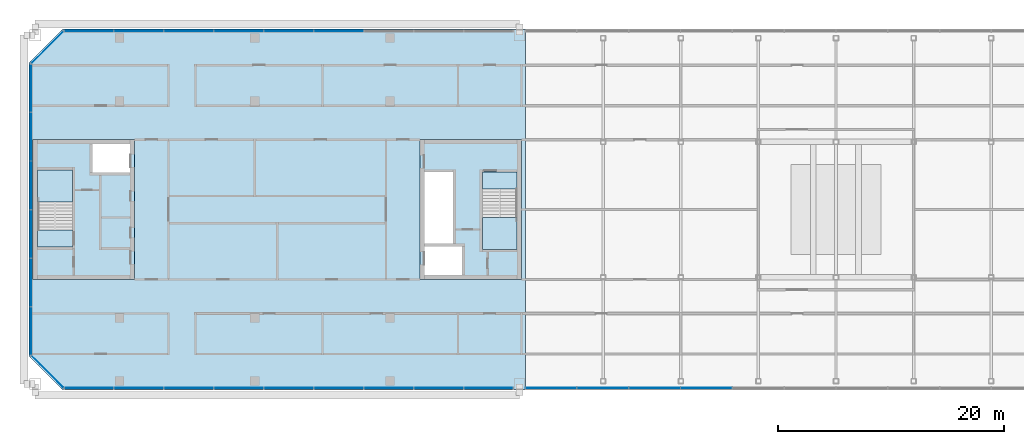
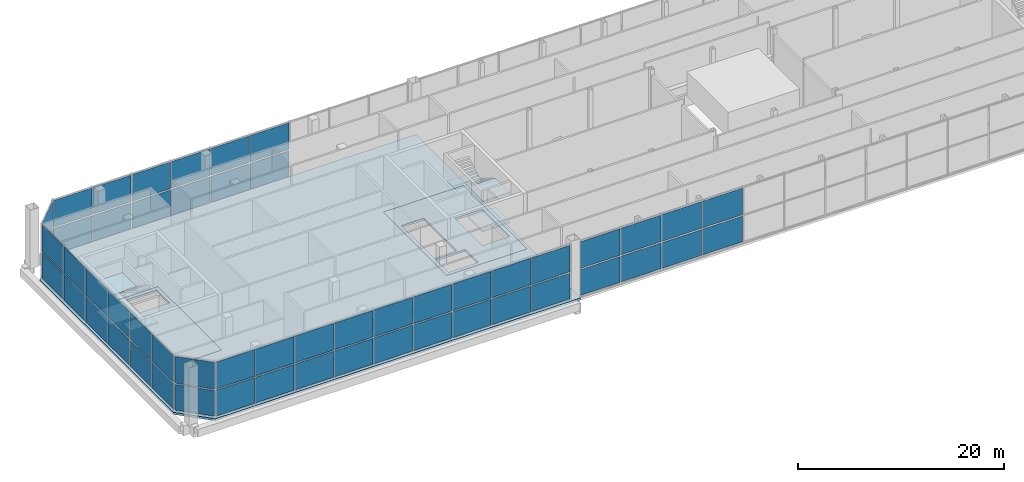
# One storey, part 14 of 27: 54 plates, 9 slabs, 8 elements without a shape of their own.
"""IFC4 building model written with IfcOpenShell, lengths in metres."""

from ifc_helpers import new_model, si_unit, direction, frame, origin, origin_2d, place, context, subcontext, project, spatial, polyline, rectangle, outline, extrude, material, layer, layer_set, type_object, element, aggregate, save


model = new_model("IFC4")

# Units and contexts
model_context = context("Model", 3, precision=1e-05, world=origin(), true_north=direction((0.0, 1.0)))
body_context = subcontext(model_context, "Body", "Model", "MODEL_VIEW")
ifc_project = project(units=[si_unit("LENGTHUNIT", "METRE"), si_unit("AREAUNIT", "SQUARE_METRE"), si_unit("VOLUMEUNIT", "CUBIC_METRE"), si_unit("PLANEANGLEUNIT", "RADIAN"), si_unit("MASSUNIT", "GRAM", prefix="KILO")], contexts=[model_context])

# Site, building, storey
site_placement = place(None, origin())
site = spatial("IfcSite", under=ifc_project, at=site_placement, CompositionType="ELEMENT")
building_placement = place(site_placement, origin())
building = spatial("IfcBuilding", under=site, at=building_placement, Name="Tuart Gate Housing", CompositionType="ELEMENT")
storey_placement = place(building_placement, frame((0.0, 0.0, 236.89990234375)))
storey = spatial("IfcBuildingStorey", under=building, at=storey_placement, Name="L67", CompositionType="ELEMENT", Elevation=236.89990234375)

# Slabs
ifc_material_1 = material(Name="Concrete C40", Category="concrete")
ifc_layer_1 = layer(ifc_material_1, 0.25)
ifc_layer_set_1 = layer_set([ifc_layer_1], Name="Core floor slab 250")
slab_type_1 = type_object("IfcSlabType", Name="Core floor slab 250", PredefinedType="FLOOR", material=ifc_layer_set_1)
slab_1_placement = place(storey_placement, frame((0.0, 0.0, -0.25)))
element("IfcSlab", 1, at=slab_1_placement, inside=storey, type_object=slab_type_1, Name="Core floor AG", PredefinedType="FLOOR", context=body_context, shape_type="SweptSolid", body=[
    extrude(outline(polyline([(66.639892578125, 63.800048828125), (75.639892578125, 63.800048828125), (75.639892578125, 76.199951171875), (66.639892578125, 76.199951171875), (66.639892578125, 63.800048828125)]), holes=[polyline([(67.0400390625, 64.199951171875), (70.385009765625, 64.199951171875), (70.385009765625, 66.72509765625), (67.0400390625, 66.72509765625), (67.0400390625, 64.199951171875)]), polyline([(67.0400390625, 66.97509765625), (69.56494140625, 66.97509765625), (69.56494140625, 73.324951171875), (67.0400390625, 73.324951171875), (67.0400390625, 66.97509765625)]), polyline([(72.1650390625, 66.47509765625), (75.239990234375, 66.47509765625), (75.239990234375, 71.804931640625), (72.1650390625, 71.804931640625), (72.1650390625, 66.47509765625)])]), origin(), (0.0, 0.0, 1.0), 0.25),
])
slab_2_placement = place(storey_placement, frame((0.0, 0.0, -0.25)))
element("IfcSlab", 2, at=slab_2_placement, inside=storey, type_object=slab_type_1, Name="Core floor AK", PredefinedType="FLOOR", context=body_context, shape_type="SweptSolid", body=[
    extrude(outline(polyline([(32.360107421875, 63.800048828125), (41.360107421875, 63.800048828125), (41.360107421875, 76.199951171875), (32.360107421875, 76.199951171875), (32.360107421875, 63.800048828125)]), holes=[polyline([(40.9599609375, 75.800048828125), (37.614990234375, 75.800048828125), (37.614990234375, 73.27490234375), (40.9599609375, 73.27490234375), (40.9599609375, 75.800048828125)]), polyline([(35.8349609375, 73.52490234375), (32.760009765625, 73.52490234375), (32.760009765625, 68.195068359375), (35.8349609375, 68.195068359375), (35.8349609375, 73.52490234375)])]), origin(), (0.0, 0.0, 1.0), 0.25),
])
ifc_material_2 = material(Name="Concrete C40", Category="concrete")
ifc_layer_2 = layer(ifc_material_2, 0.25)
ifc_layer_set_2 = layer_set([ifc_layer_2], Name="Flat plate 250")
slab_type_2 = type_object("IfcSlabType", Name="Flat plate 250", PredefinedType="FLOOR", material=ifc_layer_set_2)
slab_3_placement = place(storey_placement, frame((0.0, 0.0, -0.25)))
element("IfcSlab", 3, at=slab_3_placement, inside=storey, type_object=slab_type_2, Name="Floor slab A L67", PredefinedType="FLOOR", context=body_context, shape_type="SweptSolid", body=[
    extrude(outline(polyline([(35.0, 86.0), (32.0, 83.0), (32.0, 57.0), (35.0, 54.0), (76.0, 54.0), (76.0, 86.0), (35.0, 86.0)]), holes=[polyline([(66.639892578125, 76.199951171875), (75.639892578125, 76.199951171875), (75.639892578125, 63.800048828125), (66.639892578125, 63.800048828125), (66.639892578125, 76.199951171875)]), polyline([(41.360107421875, 76.199951171875), (41.360107421875, 63.800048828125), (32.360107421875, 63.800048828125), (32.360107421875, 76.199951171875), (41.360107421875, 76.199951171875)])]), origin(), (0.0, 0.0, 1.0), 0.25),
])

# Curtain wall, plates
ifc_material_3 = material(Name="Aluminium and clear glass", Category="aluminium")
curtain_wall_type = type_object("IfcCurtainWallType", Name="Damper floor glazing", PredefinedType="USERDEFINED", material=ifc_material_3)
curtain_wall_1_placement = place(storey_placement, origin())
curtain_wall_1 = element("IfcCurtainWall", 4, at=curtain_wall_1_placement, inside=storey, type_object=curtain_wall_type, Name="Damper floor glazing BLK-SW L67", ObjectType="DAMPER FLOOR GLAZING", PredefinedType="USERDEFINED")
ifc_material_4 = material(Name="Glass, damper floor glazing", Category="glass")
ifc_layer_3 = layer(ifc_material_4, 0.028076171875)
ifc_layer_set_3 = layer_set([ifc_layer_3], Name="Glazed panel 28 damper floor")
plate_type = type_object("IfcPlateType", Name="Glazed panel 28 damper floor", PredefinedType="CURTAIN_PANEL", material=ifc_layer_set_3)
plate_1_placement = place(storey_placement, frame((33.627197265625, 55.627197265625, 0.16015625), z_axis=(0.0, 0.0, 1.0), x_axis=(0.707106781187, -0.707106781187, 0.0)))
plate_1 = element("IfcPlate", 5, at=plate_1_placement, type_object=plate_type, Name="CW5 panel 1.1", PredefinedType="CURTAIN_PANEL", context=body_context, shape_type="SweptSolid", body=[
    extrude(rectangle(XDim=3.93359375, YDim=0.028076171875, at=origin_2d()), origin(), (0.0, 0.0, 1.0), 3.06005859375),
])
plate_2_placement = place(storey_placement, frame((33.627197265625, 55.627197265625, 3.38037109375), z_axis=(0.0, 0.0, 1.0), x_axis=(0.707106781187, -0.707106781187, 0.0)))
plate_2 = element("IfcPlate", 6, at=plate_2_placement, type_object=plate_type, Name="CW5 panel 1.2", PredefinedType="CURTAIN_PANEL", context=body_context, shape_type="SweptSolid", body=[
    extrude(rectangle(XDim=3.93359375, YDim=0.028076171875, at=origin_2d()), origin(), (0.0, 0.0, 1.0), 3.159912109375),
])
aggregate(curtain_wall_1, [plate_1, plate_2])

curtain_wall_2_placement = place(storey_placement, origin())
curtain_wall_2 = element("IfcCurtainWall", 7, at=curtain_wall_2_placement, inside=storey, type_object=curtain_wall_type, Name="Damper floor glazing BLK-S L67", ObjectType="DAMPER FLOOR GLAZING", PredefinedType="USERDEFINED")
plate_3_placement = place(storey_placement, frame((37.309814453125, 54.179931640625, 0.16015625), z_axis=(0.0, 0.0, 1.0), x_axis=(1.0, 0.0, 0.0)))
plate_3 = element("IfcPlate", 8, at=plate_3_placement, type_object=plate_type, Name="CW5 panel 1.1", PredefinedType="CURTAIN_PANEL", context=body_context, shape_type="SweptSolid", body=[
    extrude(rectangle(XDim=4.310546875, YDim=0.028076171875, at=origin_2d()), origin(), (0.0, 0.0, 1.0), 3.06005859375),
])
plate_4_placement = place(storey_placement, frame((37.309814453125, 54.179931640625, 3.38037109375), z_axis=(0.0, 0.0, 1.0), x_axis=(1.0, 0.0, 0.0)))
plate_4 = element("IfcPlate", 9, at=plate_4_placement, type_object=plate_type, Name="CW5 panel 1.2", PredefinedType="CURTAIN_PANEL", context=body_context, shape_type="SweptSolid", body=[
    extrude(rectangle(XDim=4.310546875, YDim=0.028076171875, at=origin_2d()), origin(), (0.0, 0.0, 1.0), 3.159912109375),
])
plate_5_placement = place(storey_placement, frame((41.720458984375, 54.179931640625, 0.16015625), z_axis=(0.0, 0.0, 1.0), x_axis=(1.0, 0.0, 0.0)))
plate_5 = element("IfcPlate", 10, at=plate_5_placement, type_object=plate_type, Name="CW5 panel 2.1", PredefinedType="CURTAIN_PANEL", context=body_context, shape_type="SweptSolid", body=[
    extrude(rectangle(XDim=4.3505859375, YDim=0.028076171875, at=origin_2d()), origin(), (0.0, 0.0, 1.0), 3.06005859375),
])
plate_6_placement = place(storey_placement, frame((41.720458984375, 54.179931640625, 3.38037109375), z_axis=(0.0, 0.0, 1.0), x_axis=(1.0, 0.0, 0.0)))
plate_6 = element("IfcPlate", 11, at=plate_6_placement, type_object=plate_type, Name="CW5 panel 2.2", PredefinedType="CURTAIN_PANEL", context=body_context, shape_type="SweptSolid", body=[
    extrude(rectangle(XDim=4.3505859375, YDim=0.028076171875, at=origin_2d()), origin(), (0.0, 0.0, 1.0), 3.159912109375),
])
plate_7_placement = place(storey_placement, frame((46.151123046875, 54.179931640625, 0.16015625), z_axis=(0.0, 0.0, 1.0), x_axis=(1.0, 0.0, 0.0)))
plate_7 = element("IfcPlate", 12, at=plate_7_placement, type_object=plate_type, Name="CW5 panel 3.1", PredefinedType="CURTAIN_PANEL", context=body_context, shape_type="SweptSolid", body=[
    extrude(rectangle(XDim=4.3505859375, YDim=0.028076171875, at=origin_2d()), origin(), (0.0, 0.0, 1.0), 3.06005859375),
])
plate_8_placement = place(storey_placement, frame((46.151123046875, 54.179931640625, 3.38037109375), z_axis=(0.0, 0.0, 1.0), x_axis=(1.0, 0.0, 0.0)))
plate_8 = element("IfcPlate", 13, at=plate_8_placement, type_object=plate_type, Name="CW5 panel 3.2", PredefinedType="CURTAIN_PANEL", context=body_context, shape_type="SweptSolid", body=[
    extrude(rectangle(XDim=4.3505859375, YDim=0.028076171875, at=origin_2d()), origin(), (0.0, 0.0, 1.0), 3.159912109375),
])
plate_9_placement = place(storey_placement, frame((50.581787109375, 54.179931640625, 0.16015625), z_axis=(0.0, 0.0, 1.0), x_axis=(1.0, 0.0, 0.0)))
plate_9 = element("IfcPlate", 14, at=plate_9_placement, type_object=plate_type, Name="CW5 panel 4.1", PredefinedType="CURTAIN_PANEL", context=body_context, shape_type="SweptSolid", body=[
    extrude(rectangle(XDim=4.3505859375, YDim=0.028076171875, at=origin_2d()), origin(), (0.0, 0.0, 1.0), 3.06005859375),
])
plate_10_placement = place(storey_placement, frame((50.581787109375, 54.179931640625, 3.38037109375), z_axis=(0.0, 0.0, 1.0), x_axis=(1.0, 0.0, 0.0)))
plate_10 = element("IfcPlate", 15, at=plate_10_placement, type_object=plate_type, Name="CW5 panel 4.2", PredefinedType="CURTAIN_PANEL", context=body_context, shape_type="SweptSolid", body=[
    extrude(rectangle(XDim=4.3505859375, YDim=0.028076171875, at=origin_2d()), origin(), (0.0, 0.0, 1.0), 3.159912109375),
])
plate_11_placement = place(storey_placement, frame((55.01220703125, 54.179931640625, 0.16015625), z_axis=(0.0, 0.0, 1.0), x_axis=(1.0, 0.0, 0.0)))
plate_11 = element("IfcPlate", 16, at=plate_11_placement, type_object=plate_type, Name="CW5 panel 5.1", PredefinedType="CURTAIN_PANEL", context=body_context, shape_type="SweptSolid", body=[
    extrude(rectangle(XDim=4.3505859375, YDim=0.028076171875, at=origin_2d()), origin(), (0.0, 0.0, 1.0), 3.06005859375),
])
plate_12_placement = place(storey_placement, frame((55.01220703125, 54.179931640625, 3.38037109375), z_axis=(0.0, 0.0, 1.0), x_axis=(1.0, 0.0, 0.0)))
plate_12 = element("IfcPlate", 17, at=plate_12_placement, type_object=plate_type, Name="CW5 panel 5.2", PredefinedType="CURTAIN_PANEL", context=body_context, shape_type="SweptSolid", body=[
    extrude(rectangle(XDim=4.3505859375, YDim=0.028076171875, at=origin_2d()), origin(), (0.0, 0.0, 1.0), 3.159912109375),
])
plate_13_placement = place(storey_placement, frame((59.44287109375, 54.179931640625, 0.16015625), z_axis=(0.0, 0.0, 1.0), x_axis=(1.0, 0.0, 0.0)))
plate_13 = element("IfcPlate", 18, at=plate_13_placement, type_object=plate_type, Name="CW5 panel 6.1", PredefinedType="CURTAIN_PANEL", context=body_context, shape_type="SweptSolid", body=[
    extrude(rectangle(XDim=4.3505859375, YDim=0.028076171875, at=origin_2d()), origin(), (0.0, 0.0, 1.0), 3.06005859375),
])
plate_14_placement = place(storey_placement, frame((59.44287109375, 54.179931640625, 3.38037109375), z_axis=(0.0, 0.0, 1.0), x_axis=(1.0, 0.0, 0.0)))
plate_14 = element("IfcPlate", 19, at=plate_14_placement, type_object=plate_type, Name="CW5 panel 6.2", PredefinedType="CURTAIN_PANEL", context=body_context, shape_type="SweptSolid", body=[
    extrude(rectangle(XDim=4.3505859375, YDim=0.028076171875, at=origin_2d()), origin(), (0.0, 0.0, 1.0), 3.159912109375),
])
plate_15_placement = place(storey_placement, frame((63.87353515625, 54.179931640625, 0.16015625), z_axis=(0.0, 0.0, 1.0), x_axis=(1.0, 0.0, 0.0)))
plate_15 = element("IfcPlate", 20, at=plate_15_placement, type_object=plate_type, Name="CW5 panel 7.1", PredefinedType="CURTAIN_PANEL", context=body_context, shape_type="SweptSolid", body=[
    extrude(rectangle(XDim=4.3505859375, YDim=0.028076171875, at=origin_2d()), origin(), (0.0, 0.0, 1.0), 3.06005859375),
])
plate_16_placement = place(storey_placement, frame((63.87353515625, 54.179931640625, 3.38037109375), z_axis=(0.0, 0.0, 1.0), x_axis=(1.0, 0.0, 0.0)))
plate_16 = element("IfcPlate", 21, at=plate_16_placement, type_object=plate_type, Name="CW5 panel 7.2", PredefinedType="CURTAIN_PANEL", context=body_context, shape_type="SweptSolid", body=[
    extrude(rectangle(XDim=4.3505859375, YDim=0.028076171875, at=origin_2d()), origin(), (0.0, 0.0, 1.0), 3.159912109375),
])
plate_17_placement = place(storey_placement, frame((68.30419921875, 54.179931640625, 0.16015625), z_axis=(0.0, 0.0, 1.0), x_axis=(1.0, 0.0, 0.0)))
plate_17 = element("IfcPlate", 22, at=plate_17_placement, type_object=plate_type, Name="CW5 panel 8.1", PredefinedType="CURTAIN_PANEL", context=body_context, shape_type="SweptSolid", body=[
    extrude(rectangle(XDim=4.3505859375, YDim=0.028076171875, at=origin_2d()), origin(), (0.0, 0.0, 1.0), 3.06005859375),
])
plate_18_placement = place(storey_placement, frame((68.30419921875, 54.179931640625, 3.38037109375), z_axis=(0.0, 0.0, 1.0), x_axis=(1.0, 0.0, 0.0)))
plate_18 = element("IfcPlate", 23, at=plate_18_placement, type_object=plate_type, Name="CW5 panel 8.2", PredefinedType="CURTAIN_PANEL", context=body_context, shape_type="SweptSolid", body=[
    extrude(rectangle(XDim=4.3505859375, YDim=0.028076171875, at=origin_2d()), origin(), (0.0, 0.0, 1.0), 3.159912109375),
])
plate_19_placement = place(storey_placement, frame((72.714599609375, 54.179931640625, 0.16015625), z_axis=(0.0, 0.0, 1.0), x_axis=(1.0, 0.0, 0.0)))
plate_19 = element("IfcPlate", 24, at=plate_19_placement, type_object=plate_type, Name="CW5 panel 9.1", PredefinedType="CURTAIN_PANEL", context=body_context, shape_type="SweptSolid", body=[
    extrude(rectangle(XDim=4.310546875, YDim=0.028076171875, at=origin_2d()), origin(), (0.0, 0.0, 1.0), 3.06005859375),
])
plate_20_placement = place(storey_placement, frame((72.714599609375, 54.179931640625, 3.38037109375), z_axis=(0.0, 0.0, 1.0), x_axis=(1.0, 0.0, 0.0)))
plate_20 = element("IfcPlate", 25, at=plate_20_placement, type_object=plate_type, Name="CW5 panel 9.2", PredefinedType="CURTAIN_PANEL", context=body_context, shape_type="SweptSolid", body=[
    extrude(rectangle(XDim=4.310546875, YDim=0.028076171875, at=origin_2d()), origin(), (0.0, 0.0, 1.0), 3.159912109375),
])
aggregate(curtain_wall_2, [plate_3, plate_4, plate_5, plate_6, plate_7, plate_8, plate_9, plate_10, plate_11, plate_12, plate_13, plate_14, plate_15, plate_16, plate_17, plate_18, plate_19, plate_20])

curtain_wall_3_placement = place(storey_placement, origin())
curtain_wall_3 = element("IfcCurtainWall", 26, at=curtain_wall_3_placement, inside=storey, type_object=curtain_wall_type, Name="Damper floor glazing BLK-S L67", ObjectType="DAMPER FLOOR GLAZING", PredefinedType="USERDEFINED")
plate_21_placement = place(storey_placement, frame((78.265869140625, 54.179931640625, 0.16015625), z_axis=(0.0, 0.0, 1.0), x_axis=(1.0, 0.0, 0.0)))
plate_21 = element("IfcPlate", 27, at=plate_21_placement, type_object=plate_type, Name="CW5 panel 1.1", PredefinedType="CURTAIN_PANEL", context=body_context, shape_type="SweptSolid", body=[
    extrude(rectangle(XDim=4.4716796875, YDim=0.028076171875, at=origin_2d()), origin(), (0.0, 0.0, 1.0), 3.06005859375),
])
plate_22_placement = place(storey_placement, frame((78.265869140625, 54.179931640625, 3.38037109375), z_axis=(0.0, 0.0, 1.0), x_axis=(1.0, 0.0, 0.0)))
plate_22 = element("IfcPlate", 28, at=plate_22_placement, type_object=plate_type, Name="CW5 panel 1.2", PredefinedType="CURTAIN_PANEL", context=body_context, shape_type="SweptSolid", body=[
    extrude(rectangle(XDim=4.4716796875, YDim=0.028076171875, at=origin_2d()), origin(), (0.0, 0.0, 1.0), 3.159912109375),
])
plate_23_placement = place(storey_placement, frame((82.83740234375, 54.179931640625, 0.16015625), z_axis=(0.0, 0.0, 1.0), x_axis=(1.0, 0.0, 0.0)))
plate_23 = element("IfcPlate", 29, at=plate_23_placement, type_object=plate_type, Name="CW5 panel 2.1", PredefinedType="CURTAIN_PANEL", context=body_context, shape_type="SweptSolid", body=[
    extrude(rectangle(XDim=4.51171875, YDim=0.028076171875, at=origin_2d()), origin(), (0.0, 0.0, 1.0), 3.06005859375),
])
plate_24_placement = place(storey_placement, frame((82.83740234375, 54.179931640625, 3.38037109375), z_axis=(0.0, 0.0, 1.0), x_axis=(1.0, 0.0, 0.0)))
plate_24 = element("IfcPlate", 30, at=plate_24_placement, type_object=plate_type, Name="CW5 panel 2.2", PredefinedType="CURTAIN_PANEL", context=body_context, shape_type="SweptSolid", body=[
    extrude(rectangle(XDim=4.51171875, YDim=0.028076171875, at=origin_2d()), origin(), (0.0, 0.0, 1.0), 3.159912109375),
])
plate_25_placement = place(storey_placement, frame((87.42919921875, 54.179931640625, 0.16015625), z_axis=(0.0, 0.0, 1.0), x_axis=(1.0, 0.0, 0.0)))
plate_25 = element("IfcPlate", 31, at=plate_25_placement, type_object=plate_type, Name="CW5 panel 3.1", PredefinedType="CURTAIN_PANEL", context=body_context, shape_type="SweptSolid", body=[
    extrude(rectangle(XDim=4.51171875, YDim=0.028076171875, at=origin_2d()), origin(), (0.0, 0.0, 1.0), 3.06005859375),
])
plate_26_placement = place(storey_placement, frame((87.42919921875, 54.179931640625, 3.38037109375), z_axis=(0.0, 0.0, 1.0), x_axis=(1.0, 0.0, 0.0)))
plate_26 = element("IfcPlate", 32, at=plate_26_placement, type_object=plate_type, Name="CW5 panel 3.2", PredefinedType="CURTAIN_PANEL", context=body_context, shape_type="SweptSolid", body=[
    extrude(rectangle(XDim=4.51171875, YDim=0.028076171875, at=origin_2d()), origin(), (0.0, 0.0, 1.0), 3.159912109375),
])
plate_27_placement = place(storey_placement, frame((92.020751953125, 54.179931640625, 0.16015625), z_axis=(0.0, 0.0, 1.0), x_axis=(1.0, 0.0, 0.0)))
plate_27 = element("IfcPlate", 33, at=plate_27_placement, type_object=plate_type, Name="CW5 panel 4.1", PredefinedType="CURTAIN_PANEL", context=body_context, shape_type="SweptSolid", body=[
    extrude(rectangle(XDim=4.51171875, YDim=0.028076171875, at=origin_2d()), origin(), (0.0, 0.0, 1.0), 3.06005859375),
])
plate_28_placement = place(storey_placement, frame((92.020751953125, 54.179931640625, 3.38037109375), z_axis=(0.0, 0.0, 1.0), x_axis=(1.0, 0.0, 0.0)))
plate_28 = element("IfcPlate", 34, at=plate_28_placement, type_object=plate_type, Name="CW5 panel 4.2", PredefinedType="CURTAIN_PANEL", context=body_context, shape_type="SweptSolid", body=[
    extrude(rectangle(XDim=4.51171875, YDim=0.028076171875, at=origin_2d()), origin(), (0.0, 0.0, 1.0), 3.159912109375),
])
aggregate(curtain_wall_3, [plate_21, plate_22, plate_23, plate_24, plate_25, plate_26, plate_27, plate_28])

curtain_wall_4_placement = place(storey_placement, origin())
curtain_wall_4 = element("IfcCurtainWall", 35, at=curtain_wall_4_placement, inside=storey, type_object=curtain_wall_type, Name="Damper floor glazing BLK-N L67", ObjectType="DAMPER FLOOR GLAZING", PredefinedType="USERDEFINED")
plate_29_placement = place(storey_placement, frame((59.44287109375, 85.820068359375, 0.16015625), z_axis=(0.0, 0.0, 1.0), x_axis=(-1.0, 0.0, 0.0)))
plate_29 = element("IfcPlate", 36, at=plate_29_placement, type_object=plate_type, Name="CW5 panel 4.1", PredefinedType="CURTAIN_PANEL", context=body_context, shape_type="SweptSolid", body=[
    extrude(rectangle(XDim=4.3505859375, YDim=0.028076171875, at=origin_2d()), origin(), (0.0, 0.0, 1.0), 3.06005859375),
])
plate_30_placement = place(storey_placement, frame((59.44287109375, 85.820068359375, 3.38037109375), z_axis=(0.0, 0.0, 1.0), x_axis=(-1.0, 0.0, 0.0)))
plate_30 = element("IfcPlate", 37, at=plate_30_placement, type_object=plate_type, Name="CW5 panel 4.2", PredefinedType="CURTAIN_PANEL", context=body_context, shape_type="SweptSolid", body=[
    extrude(rectangle(XDim=4.3505859375, YDim=0.028076171875, at=origin_2d()), origin(), (0.0, 0.0, 1.0), 3.159912109375),
])
plate_31_placement = place(storey_placement, frame((55.01220703125, 85.820068359375, 0.16015625), z_axis=(0.0, 0.0, 1.0), x_axis=(-1.0, 0.0, 0.0)))
plate_31 = element("IfcPlate", 38, at=plate_31_placement, type_object=plate_type, Name="CW5 panel 5.1", PredefinedType="CURTAIN_PANEL", context=body_context, shape_type="SweptSolid", body=[
    extrude(rectangle(XDim=4.3505859375, YDim=0.028076171875, at=origin_2d()), origin(), (0.0, 0.0, 1.0), 3.06005859375),
])
plate_32_placement = place(storey_placement, frame((55.01220703125, 85.820068359375, 3.38037109375), z_axis=(0.0, 0.0, 1.0), x_axis=(-1.0, 0.0, 0.0)))
plate_32 = element("IfcPlate", 39, at=plate_32_placement, type_object=plate_type, Name="CW5 panel 5.2", PredefinedType="CURTAIN_PANEL", context=body_context, shape_type="SweptSolid", body=[
    extrude(rectangle(XDim=4.3505859375, YDim=0.028076171875, at=origin_2d()), origin(), (0.0, 0.0, 1.0), 3.159912109375),
])
plate_33_placement = place(storey_placement, frame((50.58154296875, 85.820068359375, 0.16015625), z_axis=(0.0, 0.0, 1.0), x_axis=(-1.0, 0.0, 0.0)))
plate_33 = element("IfcPlate", 40, at=plate_33_placement, type_object=plate_type, Name="CW5 panel 6.1", PredefinedType="CURTAIN_PANEL", context=body_context, shape_type="SweptSolid", body=[
    extrude(rectangle(XDim=4.3505859375, YDim=0.028076171875, at=origin_2d()), origin(), (0.0, 0.0, 1.0), 3.06005859375),
])
plate_34_placement = place(storey_placement, frame((50.58154296875, 85.820068359375, 3.38037109375), z_axis=(0.0, 0.0, 1.0), x_axis=(-1.0, 0.0, 0.0)))
plate_34 = element("IfcPlate", 41, at=plate_34_placement, type_object=plate_type, Name="CW5 panel 6.2", PredefinedType="CURTAIN_PANEL", context=body_context, shape_type="SweptSolid", body=[
    extrude(rectangle(XDim=4.3505859375, YDim=0.028076171875, at=origin_2d()), origin(), (0.0, 0.0, 1.0), 3.159912109375),
])
plate_35_placement = place(storey_placement, frame((46.151123046875, 85.820068359375, 0.16015625), z_axis=(0.0, 0.0, 1.0), x_axis=(-1.0, 0.0, 0.0)))
plate_35 = element("IfcPlate", 42, at=plate_35_placement, type_object=plate_type, Name="CW5 panel 7.1", PredefinedType="CURTAIN_PANEL", context=body_context, shape_type="SweptSolid", body=[
    extrude(rectangle(XDim=4.3505859375, YDim=0.028076171875, at=origin_2d()), origin(), (0.0, 0.0, 1.0), 3.06005859375),
])
plate_36_placement = place(storey_placement, frame((46.151123046875, 85.820068359375, 3.38037109375), z_axis=(0.0, 0.0, 1.0), x_axis=(-1.0, 0.0, 0.0)))
plate_36 = element("IfcPlate", 43, at=plate_36_placement, type_object=plate_type, Name="CW5 panel 7.2", PredefinedType="CURTAIN_PANEL", context=body_context, shape_type="SweptSolid", body=[
    extrude(rectangle(XDim=4.3505859375, YDim=0.028076171875, at=origin_2d()), origin(), (0.0, 0.0, 1.0), 3.159912109375),
])
plate_37_placement = place(storey_placement, frame((41.720458984375, 85.820068359375, 0.16015625), z_axis=(0.0, 0.0, 1.0), x_axis=(-1.0, 0.0, 0.0)))
plate_37 = element("IfcPlate", 44, at=plate_37_placement, type_object=plate_type, Name="CW5 panel 8.1", PredefinedType="CURTAIN_PANEL", context=body_context, shape_type="SweptSolid", body=[
    extrude(rectangle(XDim=4.3505859375, YDim=0.028076171875, at=origin_2d()), origin(), (0.0, 0.0, 1.0), 3.06005859375),
])
plate_38_placement = place(storey_placement, frame((41.720458984375, 85.820068359375, 3.38037109375), z_axis=(0.0, 0.0, 1.0), x_axis=(-1.0, 0.0, 0.0)))
plate_38 = element("IfcPlate", 45, at=plate_38_placement, type_object=plate_type, Name="CW5 panel 8.2", PredefinedType="CURTAIN_PANEL", context=body_context, shape_type="SweptSolid", body=[
    extrude(rectangle(XDim=4.3505859375, YDim=0.028076171875, at=origin_2d()), origin(), (0.0, 0.0, 1.0), 3.159912109375),
])
plate_39_placement = place(storey_placement, frame((37.309814453125, 85.820068359375, 0.16015625), z_axis=(0.0, 0.0, 1.0), x_axis=(-1.0, 0.0, 0.0)))
plate_39 = element("IfcPlate", 46, at=plate_39_placement, type_object=plate_type, Name="CW5 panel 9.1", PredefinedType="CURTAIN_PANEL", context=body_context, shape_type="SweptSolid", body=[
    extrude(rectangle(XDim=4.310546875, YDim=0.028076171875, at=origin_2d()), origin(), (0.0, 0.0, 1.0), 3.06005859375),
])
plate_40_placement = place(storey_placement, frame((37.309814453125, 85.820068359375, 3.38037109375), z_axis=(0.0, 0.0, 1.0), x_axis=(-1.0, 0.0, 0.0)))
plate_40 = element("IfcPlate", 47, at=plate_40_placement, type_object=plate_type, Name="CW5 panel 9.2", PredefinedType="CURTAIN_PANEL", context=body_context, shape_type="SweptSolid", body=[
    extrude(rectangle(XDim=4.310546875, YDim=0.028076171875, at=origin_2d()), origin(), (0.0, 0.0, 1.0), 3.159912109375),
])
aggregate(curtain_wall_4, [plate_29, plate_30, plate_31, plate_32, plate_33, plate_34, plate_35, plate_36, plate_37, plate_38, plate_39, plate_40])

curtain_wall_5_placement = place(storey_placement, origin())
curtain_wall_5 = element("IfcCurtainWall", 48, at=curtain_wall_5_placement, inside=storey, type_object=curtain_wall_type, Name="Damper floor glazing BLK-NW L67", ObjectType="DAMPER FLOOR GLAZING", PredefinedType="USERDEFINED")
plate_41_placement = place(storey_placement, frame((33.627197265625, 84.372802734375, 0.16015625), z_axis=(0.0, 0.0, 1.0), x_axis=(-0.707106781187, -0.707106781187, 0.0)))
plate_41 = element("IfcPlate", 49, at=plate_41_placement, type_object=plate_type, Name="CW5 panel 1.1", PredefinedType="CURTAIN_PANEL", context=body_context, shape_type="SweptSolid", body=[
    extrude(rectangle(XDim=3.93359375, YDim=0.028076171875, at=origin_2d()), origin(), (0.0, 0.0, 1.0), 3.06005859375),
])
plate_42_placement = place(storey_placement, frame((33.627197265625, 84.372802734375, 3.38037109375), z_axis=(0.0, 0.0, 1.0), x_axis=(-0.707106781187, -0.707106781187, 0.0)))
plate_42 = element("IfcPlate", 50, at=plate_42_placement, type_object=plate_type, Name="CW5 panel 1.2", PredefinedType="CURTAIN_PANEL", context=body_context, shape_type="SweptSolid", body=[
    extrude(rectangle(XDim=3.93359375, YDim=0.028076171875, at=origin_2d()), origin(), (0.0, 0.0, 1.0), 3.159912109375),
])
aggregate(curtain_wall_5, [plate_41, plate_42])

curtain_wall_6_placement = place(storey_placement, origin())
curtain_wall_6 = element("IfcCurtainWall", 51, at=curtain_wall_6_placement, inside=storey, type_object=curtain_wall_type, Name="Damper floor glazing BLK-W L67", ObjectType="DAMPER FLOOR GLAZING", PredefinedType="USERDEFINED")
plate_43_placement = place(storey_placement, frame((32.179931640625, 80.751220703125, 0.16015625), z_axis=(0.0, 0.0, 1.0), x_axis=(0.0, -1.0, 0.0)))
plate_43 = element("IfcPlate", 52, at=plate_43_placement, type_object=plate_type, Name="CW5 panel 1.1", PredefinedType="CURTAIN_PANEL", context=body_context, shape_type="SweptSolid", body=[
    extrude(rectangle(XDim=4.1884765625, YDim=0.028076171875, at=origin_2d()), origin(), (0.0, 0.0, 1.0), 3.06005859375),
])
plate_44_placement = place(storey_placement, frame((32.179931640625, 80.751220703125, 3.38037109375), z_axis=(0.0, 0.0, 1.0), x_axis=(0.0, -1.0, 0.0)))
plate_44 = element("IfcPlate", 53, at=plate_44_placement, type_object=plate_type, Name="CW5 panel 1.2", PredefinedType="CURTAIN_PANEL", context=body_context, shape_type="SweptSolid", body=[
    extrude(rectangle(XDim=4.1884765625, YDim=0.028076171875, at=origin_2d()), origin(), (0.0, 0.0, 1.0), 3.159912109375),
])
plate_45_placement = place(storey_placement, frame((32.179931640625, 76.462646484375, 0.16015625), z_axis=(0.0, 0.0, 1.0), x_axis=(0.0, -1.0, 0.0)))
plate_45 = element("IfcPlate", 54, at=plate_45_placement, type_object=plate_type, Name="CW5 panel 2.1", PredefinedType="CURTAIN_PANEL", context=body_context, shape_type="SweptSolid", body=[
    extrude(rectangle(XDim=4.228515625, YDim=0.028076171875, at=origin_2d()), origin(), (0.0, 0.0, 1.0), 3.06005859375),
])
plate_46_placement = place(storey_placement, frame((32.179931640625, 76.462646484375, 3.38037109375), z_axis=(0.0, 0.0, 1.0), x_axis=(0.0, -1.0, 0.0)))
plate_46 = element("IfcPlate", 55, at=plate_46_placement, type_object=plate_type, Name="CW5 panel 2.2", PredefinedType="CURTAIN_PANEL", context=body_context, shape_type="SweptSolid", body=[
    extrude(rectangle(XDim=4.228515625, YDim=0.028076171875, at=origin_2d()), origin(), (0.0, 0.0, 1.0), 3.159912109375),
])
plate_47_placement = place(storey_placement, frame((32.179931640625, 72.154296875, 0.16015625), z_axis=(0.0, 0.0, 1.0), x_axis=(0.0, -1.0, 0.0)))
plate_47 = element("IfcPlate", 56, at=plate_47_placement, type_object=plate_type, Name="CW5 panel 3.1", PredefinedType="CURTAIN_PANEL", context=body_context, shape_type="SweptSolid", body=[
    extrude(rectangle(XDim=4.228515625, YDim=0.028076171875, at=origin_2d()), origin(), (0.0, 0.0, 1.0), 3.06005859375),
])
plate_48_placement = place(storey_placement, frame((32.179931640625, 72.154296875, 3.38037109375), z_axis=(0.0, 0.0, 1.0), x_axis=(0.0, -1.0, 0.0)))
plate_48 = element("IfcPlate", 57, at=plate_48_placement, type_object=plate_type, Name="CW5 panel 3.2", PredefinedType="CURTAIN_PANEL", context=body_context, shape_type="SweptSolid", body=[
    extrude(rectangle(XDim=4.228515625, YDim=0.028076171875, at=origin_2d()), origin(), (0.0, 0.0, 1.0), 3.159912109375),
])
plate_49_placement = place(storey_placement, frame((32.179931640625, 67.845703125, 0.16015625), z_axis=(0.0, 0.0, 1.0), x_axis=(0.0, -1.0, 0.0)))
plate_49 = element("IfcPlate", 58, at=plate_49_placement, type_object=plate_type, Name="CW5 panel 4.1", PredefinedType="CURTAIN_PANEL", context=body_context, shape_type="SweptSolid", body=[
    extrude(rectangle(XDim=4.228515625, YDim=0.028076171875, at=origin_2d()), origin(), (0.0, 0.0, 1.0), 3.06005859375),
])
plate_50_placement = place(storey_placement, frame((32.179931640625, 67.845703125, 3.38037109375), z_axis=(0.0, 0.0, 1.0), x_axis=(0.0, -1.0, 0.0)))
plate_50 = element("IfcPlate", 59, at=plate_50_placement, type_object=plate_type, Name="CW5 panel 4.2", PredefinedType="CURTAIN_PANEL", context=body_context, shape_type="SweptSolid", body=[
    extrude(rectangle(XDim=4.228515625, YDim=0.028076171875, at=origin_2d()), origin(), (0.0, 0.0, 1.0), 3.159912109375),
])
plate_51_placement = place(storey_placement, frame((32.179931640625, 63.537109375, 0.16015625), z_axis=(0.0, 0.0, 1.0), x_axis=(0.0, -1.0, 0.0)))
plate_51 = element("IfcPlate", 60, at=plate_51_placement, type_object=plate_type, Name="CW5 panel 5.1", PredefinedType="CURTAIN_PANEL", context=body_context, shape_type="SweptSolid", body=[
    extrude(rectangle(XDim=4.228515625, YDim=0.028076171875, at=origin_2d()), origin(), (0.0, 0.0, 1.0), 3.06005859375),
])
plate_52_placement = place(storey_placement, frame((32.179931640625, 63.537109375, 3.38037109375), z_axis=(0.0, 0.0, 1.0), x_axis=(0.0, -1.0, 0.0)))
plate_52 = element("IfcPlate", 61, at=plate_52_placement, type_object=plate_type, Name="CW5 panel 5.2", PredefinedType="CURTAIN_PANEL", context=body_context, shape_type="SweptSolid", body=[
    extrude(rectangle(XDim=4.228515625, YDim=0.028076171875, at=origin_2d()), origin(), (0.0, 0.0, 1.0), 3.159912109375),
])
plate_53_placement = place(storey_placement, frame((32.179931640625, 59.248779296875, 0.16015625), z_axis=(0.0, 0.0, 1.0), x_axis=(0.0, -1.0, 0.0)))
plate_53 = element("IfcPlate", 62, at=plate_53_placement, type_object=plate_type, Name="CW5 panel 6.1", PredefinedType="CURTAIN_PANEL", context=body_context, shape_type="SweptSolid", body=[
    extrude(rectangle(XDim=4.1884765625, YDim=0.028076171875, at=origin_2d()), origin(), (0.0, 0.0, 1.0), 3.06005859375),
])
plate_54_placement = place(storey_placement, frame((32.179931640625, 59.248779296875, 3.38037109375), z_axis=(0.0, 0.0, 1.0), x_axis=(0.0, -1.0, 0.0)))
plate_54 = element("IfcPlate", 63, at=plate_54_placement, type_object=plate_type, Name="CW5 panel 6.2", PredefinedType="CURTAIN_PANEL", context=body_context, shape_type="SweptSolid", body=[
    extrude(rectangle(XDim=4.1884765625, YDim=0.028076171875, at=origin_2d()), origin(), (0.0, 0.0, 1.0), 3.159912109375),
])
aggregate(curtain_wall_6, [plate_43, plate_44, plate_45, plate_46, plate_47, plate_48, plate_49, plate_50, plate_51, plate_52, plate_53, plate_54])

# Stair, slabs
ifc_material_5 = material(Name="Concrete C40", Category="concrete")
stair_type = type_object("IfcStairType", Name="Core stair 1500", PredefinedType="HALF_TURN_STAIR", material=ifc_material_5)
stair_1_placement = place(storey_placement, origin())
stair_1 = element("IfcStair", 64, at=stair_1_placement, inside=storey, type_object=stair_type, Name="Stair SA1", PredefinedType="HALF_TURN_STAIR")
ifc_material_6 = material(Name="Concrete C40", Category="concrete")
ifc_layer_4 = layer(ifc_material_6, 0.199951171875)
ifc_layer_set_4 = layer_set([ifc_layer_4], Name="Stair landing 200")
slab_type_3 = type_object("IfcSlabType", Name="Stair landing 200", PredefinedType="LANDING", material=ifc_layer_set_4)
slab_4_placement = place(storey_placement, frame((0.0, 0.0, 1.550048828125)))
slab_4 = element("IfcSlab", 65, at=slab_4_placement, type_object=slab_type_3, Name="SA1 landing 1", PredefinedType="LANDING", context=body_context, shape_type="SweptSolid", body=[
    extrude(outline(polyline([(72.1650390625, 66.47509765625), (75.239990234375, 66.47509765625), (75.239990234375, 69.304931640625), (72.1650390625, 69.304931640625), (72.1650390625, 66.47509765625)])), origin(), (0.0, 0.0, 1.0), 0.199951171875),
])
slab_5_placement = place(storey_placement, frame((0.0, 0.0, 3.300048828125)))
slab_5 = element("IfcSlab", 66, at=slab_5_placement, type_object=slab_type_3, Name="SA1 landing 2", PredefinedType="LANDING", context=body_context, shape_type="SweptSolid", body=[
    extrude(outline(polyline([(72.1650390625, 73.324951171875), (72.1650390625, 71.824951171875), (75.239990234375, 71.824951171875), (75.239990234375, 73.324951171875), (72.1650390625, 73.324951171875)])), origin(), (0.0, 0.0, 1.0), 0.199951171875),
])
slab_6_placement = place(storey_placement, frame((0.0, 0.0, 5.050048828125)))
slab_6 = element("IfcSlab", 67, at=slab_6_placement, type_object=slab_type_3, Name="SA1 landing 3", PredefinedType="LANDING", context=body_context, shape_type="SweptSolid", body=[
    extrude(outline(polyline([(72.1650390625, 66.47509765625), (75.239990234375, 66.47509765625), (75.239990234375, 69.304931640625), (72.1650390625, 69.304931640625), (72.1650390625, 66.47509765625)])), origin(), (0.0, 0.0, 1.0), 0.199951171875),
])
aggregate(stair_1, [slab_4, slab_5, slab_6])

stair_2_placement = place(storey_placement, origin())
stair_2 = element("IfcStair", 68, at=stair_2_placement, inside=storey, type_object=stair_type, Name="Stair SA2", PredefinedType="HALF_TURN_STAIR")
slab_7_placement = place(storey_placement, frame((0.0, 0.0, 1.550048828125)))
slab_7 = element("IfcSlab", 69, at=slab_7_placement, type_object=slab_type_3, Name="SA2 landing 1", PredefinedType="LANDING", context=body_context, shape_type="SweptSolid", body=[
    extrude(outline(polyline([(35.8349609375, 73.52490234375), (32.760009765625, 73.52490234375), (32.760009765625, 70.695068359375), (35.8349609375, 70.695068359375), (35.8349609375, 73.52490234375)])), origin(), (0.0, 0.0, 1.0), 0.199951171875),
])
slab_8_placement = place(storey_placement, frame((0.0, 0.0, 3.300048828125)))
slab_8 = element("IfcSlab", 70, at=slab_8_placement, type_object=slab_type_3, Name="SA2 landing 2", PredefinedType="LANDING", context=body_context, shape_type="SweptSolid", body=[
    extrude(outline(polyline([(35.8349609375, 66.675048828125), (35.8349609375, 68.175048828125), (32.760009765625, 68.175048828125), (32.760009765625, 66.675048828125), (35.8349609375, 66.675048828125)])), origin(), (0.0, 0.0, 1.0), 0.199951171875),
])
slab_9_placement = place(storey_placement, frame((0.0, 0.0, 5.050048828125)))
slab_9 = element("IfcSlab", 71, at=slab_9_placement, type_object=slab_type_3, Name="SA2 landing 3", PredefinedType="LANDING", context=body_context, shape_type="SweptSolid", body=[
    extrude(outline(polyline([(35.8349609375, 73.52490234375), (32.760009765625, 73.52490234375), (32.760009765625, 70.695068359375), (35.8349609375, 70.695068359375), (35.8349609375, 73.52490234375)])), origin(), (0.0, 0.0, 1.0), 0.199951171875),
])
aggregate(stair_2, [slab_7, slab_8, slab_9])

save(model, "model.ifc")
